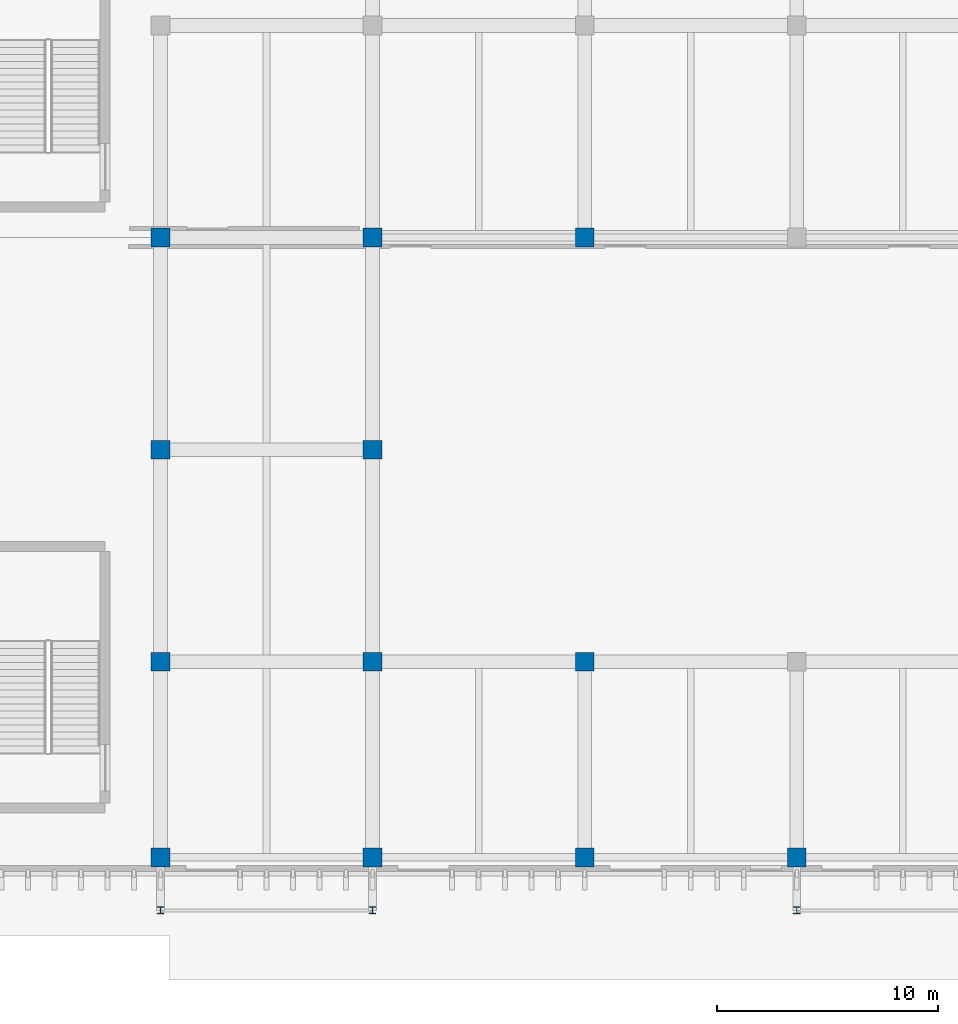
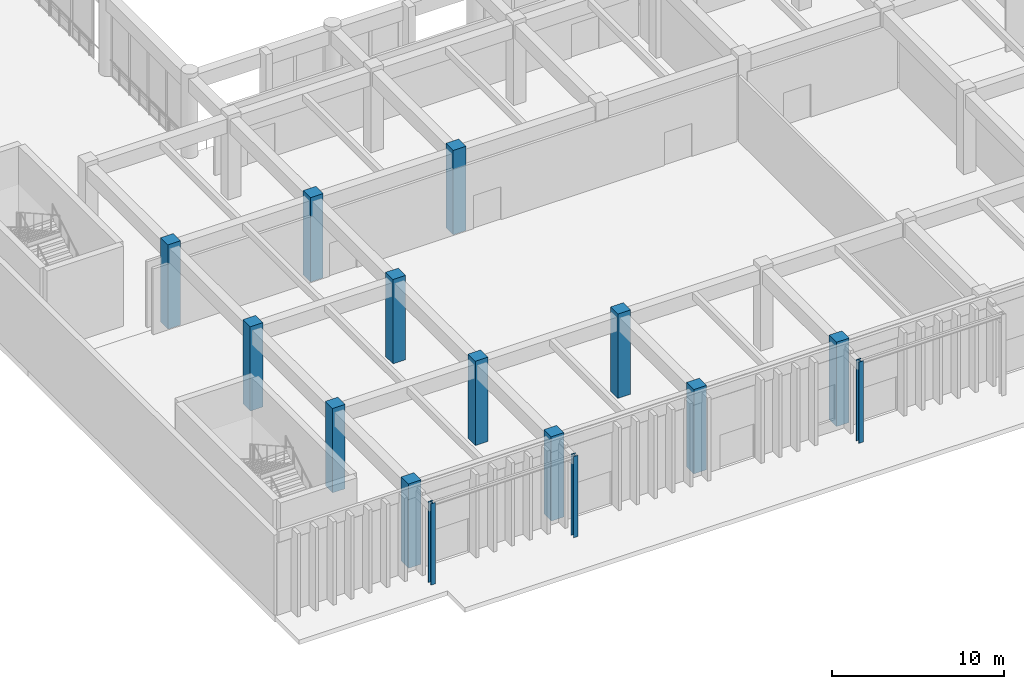
# One storey, part 2 of 87: 15 columns.
"""IFC4 building model written with IfcOpenShell, lengths in metres."""

from ifc_helpers import new_model, si_unit, direction, frame, origin, origin_2d, place, context, subcontext, project, spatial, rectangle, i_section, extrude, material, material_profile, profile_set, type_object, element, save


model = new_model("IFC4")

# Units and contexts
model_context = context("Model", 3, precision=1e-05, world=origin(), true_north=direction((0.0, 1.0)))
body_context = subcontext(model_context, "Body", "Model", "MODEL_VIEW")
ifc_project = project(units=[si_unit("LENGTHUNIT", "METRE"), si_unit("AREAUNIT", "SQUARE_METRE"), si_unit("VOLUMEUNIT", "CUBIC_METRE"), si_unit("PLANEANGLEUNIT", "RADIAN"), si_unit("MASSUNIT", "GRAM", prefix="KILO")], contexts=[model_context])

# Site, building, storey
site_placement = place(None, origin())
site = spatial("IfcSite", under=ifc_project, at=site_placement, CompositionType="ELEMENT")
building_placement = place(site_placement, origin())
building = spatial("IfcBuilding", under=site, at=building_placement, Name="Nakhvara Creek Congress Hotel", CompositionType="ELEMENT")
storey_placement = place(building_placement, origin())
storey = spatial("IfcBuildingStorey", under=building, at=storey_placement, Name="L00", CompositionType="ELEMENT", Elevation=0.0)

# Columns
ifc_material_1 = material(Name="Concrete C50/60", Category="concrete")
ifc_material_profile_1 = material_profile(ifc_material_1, rectangle(XDim=0.85009765625, YDim=0.85009765625, at=origin_2d()), Name="RC-COL 850x850", Category="LoadBearing")
ifc_profile_set_1 = profile_set([ifc_material_profile_1], Name="Concrete C50/60")
column_type_1 = type_object("IfcColumnType", Name="COL-RC-850", PredefinedType="COLUMN", material=ifc_profile_set_1)
for number, where, z_axis, x_axis, name in (
    (1, (67.199951171875, 0.75, 0.0), (0.0, 0.0, 1.0), (1.0, 0.0, 0.0), "Column C18-L00-0656"),
    (2, (67.199951171875, 9.60009765625, 0.0), (0.0, 0.0, 1.0), (1.0, 0.0, 0.0), "Column C18-L00-0657"),
    (3, (67.199951171875, 19.199951171875, 0.0), (0.0, 0.0, 1.0), (1.0, 0.0, 0.0), "Column C18-L00-0658"),
    (4, (67.199951171875, 28.800048828125, 0.0), (0.0, 0.0, 1.0), (1.0, 0.0, 0.0), "Column C18-L00-0659"),
    (5, (76.800048828125, 0.75, 0.0), (0.0, 0.0, 1.0), (1.0, 0.0, 0.0), "Column C18-L00-0661"),
    (6, (76.800048828125, 9.60009765625, 0.0), (0.0, 0.0, 1.0), (1.0, 0.0, 0.0), "Column C18-L00-0662"),
    (7, (76.800048828125, 19.199951171875, 0.0), (0.0, 0.0, 1.0), (1.0, 0.0, 0.0), "Column C18-L00-0663"),
    (8, (76.800048828125, 28.800048828125, 0.0), (0.0, 0.0, 1.0), (1.0, 0.0, 0.0), "Column C18-L00-0664"),
    (9, (86.39990234375, 0.75, 0.0), (0.0, 0.0, 1.0), (1.0, 0.0, 0.0), "Column C18-L00-0673"),
    (10, (86.39990234375, 9.60009765625, 0.0), (0.0, 0.0, 1.0), (1.0, 0.0, 0.0), "Column C18-L00-0674"),
    (11, (86.39990234375, 28.800048828125, 0.0), (0.0, 0.0, 1.0), (1.0, 0.0, 0.0), "Column C18-L00-0675"),
    (12, (96.0, 0.75, 0.0), (0.0, 0.0, 1.0), (1.0, 0.0, 0.0), "Column C18-L00-0681"),
):
    element("IfcColumn", number, at=place(storey_placement, frame(where, z_axis=z_axis, x_axis=x_axis)), inside=storey, type_object=column_type_1, Name=name, PredefinedType="COLUMN", context=body_context, shape_type="SweptSolid", body=[
        extrude(rectangle(XDim=0.85009765625, YDim=0.85009765625, at=origin_2d()), origin(), (0.0, 0.0, 1.0), 6.0),
    ])
ifc_material_2 = material(Name="Steel S355J2", Category="steel")
ifc_material_profile_2 = material_profile(ifc_material_2, i_section(OverallWidth=0.307373046875, OverallDepth=0.314453125, WebThickness=0.011962890625, FlangeThickness=0.018798828125, FilletRadius=0.01513671875, at=origin_2d()), Name="UC 305x305x118", Category="LoadBearing")
ifc_profile_set_2 = profile_set([ifc_material_profile_2], Name="Steel S355J2")
column_type_2 = type_object("IfcColumnType", Name="COL-ST-UC305", PredefinedType="COLUMN", material=ifc_profile_set_2)
for number, where, z_axis, x_axis, name in (
    (13, (67.199951171875, -1.64990234375, 0.0), (0.0, 0.0, 1.0), (1.0, 0.0, 0.0), "Column CS2-L00-0746"),
    (14, (76.800048828125, -1.64990234375, 0.0), (0.0, 0.0, 1.0), (1.0, 0.0, 0.0), "Column CS2-L00-0747"),
    (15, (96.0, -1.64990234375, 0.0), (0.0, 0.0, 1.0), (1.0, 0.0, 0.0), "Column CS2-L00-0748"),
):
    element("IfcColumn", number, at=place(storey_placement, frame(where, z_axis=z_axis, x_axis=x_axis)), inside=storey, type_object=column_type_2, Name=name, PredefinedType="COLUMN", context=body_context, shape_type="SweptSolid", body=[
        extrude(i_section(OverallWidth=0.307373046875, OverallDepth=0.314453125, WebThickness=0.011962890625, FlangeThickness=0.018798828125, FilletRadius=0.01513671875, at=origin_2d()), origin(), (0.0, 0.0, 1.0), 5.780029296875),
    ])

save(model, "model.ifc")
